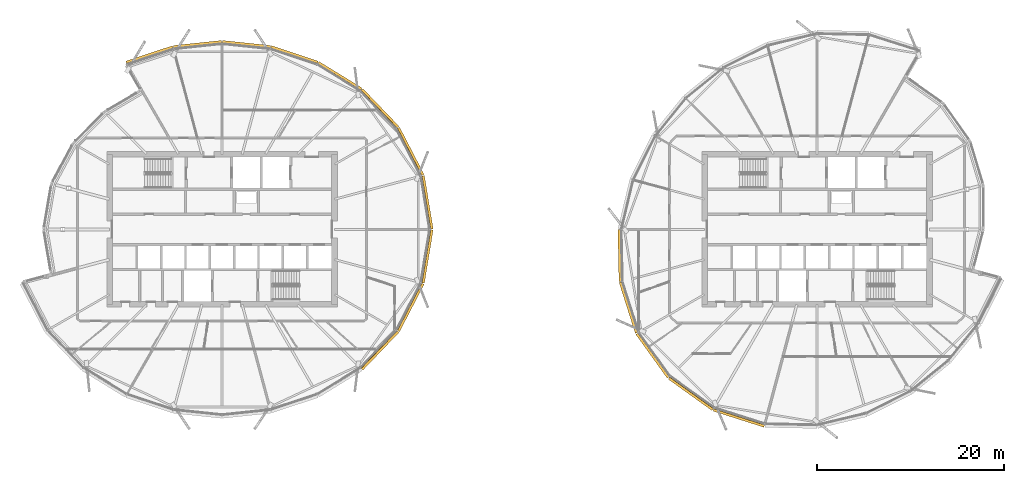
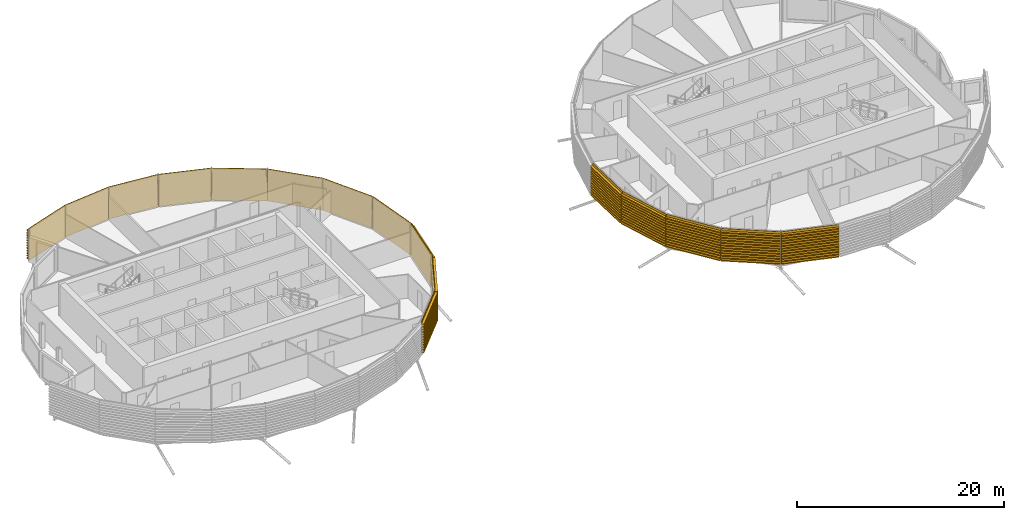
# One storey, part 34 of 37: 16 coverings.
"""IFC4 building model written with IfcOpenShell, lengths in metres."""

from ifc_helpers import new_model, si_unit, direction, frame, origin, place, context, subcontext, project, spatial, polyline, outline, extrude, material, material_profile, profile_set, type_object, element, save


model = new_model("IFC4")

# Units and contexts
model_context = context("Model", 3, precision=1e-05, world=origin(), true_north=direction((0.0, 1.0)))
body_context = subcontext(model_context, "Body", "Model", "MODEL_VIEW")
ifc_project = project(units=[si_unit("LENGTHUNIT", "METRE"), si_unit("AREAUNIT", "SQUARE_METRE"), si_unit("VOLUMEUNIT", "CUBIC_METRE"), si_unit("PLANEANGLEUNIT", "RADIAN"), si_unit("MASSUNIT", "GRAM", prefix="KILO")], contexts=[model_context])

# Site, building, storey
site_placement = place(None, origin())
site = spatial("IfcSite", under=ifc_project, at=site_placement, CompositionType="ELEMENT")
building_placement = place(site_placement, origin())
building = spatial("IfcBuilding", under=site, at=building_placement, Name="Rimbun Link Towers", CompositionType="ELEMENT")
storey_placement = place(building_placement, frame((0.0, 0.0, 177.89990234375)))
storey = spatial("IfcBuildingStorey", under=building, at=storey_placement, Name="L43", CompositionType="ELEMENT", Elevation=177.89990234375)

# Coverings
ifc_material = material(Name="Terracotta", Category="masonry")
ifc_material_profile = material_profile(ifc_material, outline(polyline([(0.123046875, 0.0), (0.1630859375, 0.0), (0.1630859375, 0.10009765625), (0.423095703125, 0.10009765625), (0.423095703125, 0.219970703125), (0.1630859375, 0.219970703125), (0.1630859375, 0.39990234375), (0.423095703125, 0.39990234375), (0.423095703125, 0.52001953125), (0.1630859375, 0.52001953125), (0.1630859375, 0.699951171875), (0.423095703125, 0.699951171875), (0.423095703125, 0.820068359375), (0.1630859375, 0.820068359375), (0.1630859375, 1.0), (0.423095703125, 1.0), (0.423095703125, 1.1201171875), (0.1630859375, 1.1201171875), (0.1630859375, 1.300048828125), (0.423095703125, 1.300048828125), (0.423095703125, 1.419921875), (0.1630859375, 1.419921875), (0.1630859375, 1.60009765625), (0.423095703125, 1.60009765625), (0.423095703125, 1.719970703125), (0.1630859375, 1.719970703125), (0.1630859375, 1.89990234375), (0.423095703125, 1.89990234375), (0.423095703125, 2.02001953125), (0.1630859375, 2.02001953125), (0.1630859375, 2.199951171875), (0.423095703125, 2.199951171875), (0.423095703125, 2.320068359375), (0.1630859375, 2.320068359375), (0.1630859375, 2.5), (0.423095703125, 2.5), (0.423095703125, 2.6201171875), (0.1630859375, 2.6201171875), (0.1630859375, 2.800048828125), (0.423095703125, 2.800048828125), (0.423095703125, 2.919921875), (0.1630859375, 2.919921875), (0.1630859375, 3.10009765625), (0.423095703125, 3.10009765625), (0.423095703125, 3.219970703125), (0.1630859375, 3.219970703125), (0.1630859375, 3.39990234375), (0.423095703125, 3.39990234375), (0.423095703125, 3.52001953125), (0.1630859375, 3.52001953125), (0.1630859375, 3.800048828125), (0.123046875, 3.800048828125), (0.123046875, 0.0)])), Name="BAGUETTE 120X300")
ifc_profile_set = profile_set([ifc_material_profile], Name="Terracotta")
covering_type = type_object("IfcCoveringType", Name="TERRACOTTA BAGUETTE 120X300 H3800", PredefinedType="CLADDING", material=ifc_profile_set)
covering_1_placement = place(storey_placement, frame((-10.56494140625, 5.676513671875, 0.0), z_axis=(0.16224452626, -0.986750583328, 0.0), x_axis=(0.986750583328, 0.16224452626, 0.0)))
element("IfcCovering", 1, at=covering_1_placement, inside=storey, type_object=covering_type, Name="TERRACOTTA BAGUETTE", PredefinedType="CLADDING", context=body_context, shape_type="SweptSolid", body=[
    extrude(outline(polyline([(0.123046875, 0.0), (0.1630859375, 0.0), (0.1630859375, 0.10009765625), (0.423095703125, 0.10009765625), (0.423095703125, 0.219970703125), (0.1630859375, 0.219970703125), (0.1630859375, 0.39990234375), (0.423095703125, 0.39990234375), (0.423095703125, 0.52001953125), (0.1630859375, 0.52001953125), (0.1630859375, 0.699951171875), (0.423095703125, 0.699951171875), (0.423095703125, 0.820068359375), (0.1630859375, 0.820068359375), (0.1630859375, 1.0), (0.423095703125, 1.0), (0.423095703125, 1.1201171875), (0.1630859375, 1.1201171875), (0.1630859375, 1.300048828125), (0.423095703125, 1.300048828125), (0.423095703125, 1.419921875), (0.1630859375, 1.419921875), (0.1630859375, 1.60009765625), (0.423095703125, 1.60009765625), (0.423095703125, 1.719970703125), (0.1630859375, 1.719970703125), (0.1630859375, 1.89990234375), (0.423095703125, 1.89990234375), (0.423095703125, 2.02001953125), (0.1630859375, 2.02001953125), (0.1630859375, 2.199951171875), (0.423095703125, 2.199951171875), (0.423095703125, 2.320068359375), (0.1630859375, 2.320068359375), (0.1630859375, 2.5), (0.423095703125, 2.5), (0.423095703125, 2.6201171875), (0.1630859375, 2.6201171875), (0.1630859375, 2.800048828125), (0.423095703125, 2.800048828125), (0.423095703125, 2.919921875), (0.1630859375, 2.919921875), (0.1630859375, 3.10009765625), (0.423095703125, 3.10009765625), (0.423095703125, 3.219970703125), (0.1630859375, 3.219970703125), (0.1630859375, 3.39990234375), (0.423095703125, 3.39990234375), (0.423095703125, 3.52001953125), (0.1630859375, 3.52001953125), (0.1630859375, 3.800048828125), (0.123046875, 3.800048828125), (0.123046875, 0.0)])), origin(), (0.0, 0.0, 1.0), 5.752685546875),
])
covering_2_placement = place(storey_placement, frame((-13.176513671875, 10.723388671875, 0.0), z_axis=(0.459578361582, -0.888137224513, 0.0), x_axis=(0.888137224513, 0.459578361582, 0.0)))
element("IfcCovering", 2, at=covering_2_placement, inside=storey, type_object=covering_type, Name="TERRACOTTA BAGUETTE", PredefinedType="CLADDING", context=body_context, shape_type="SweptSolid", body=[
    extrude(outline(polyline([(0.123046875, 0.0), (0.1630859375, 0.0), (0.1630859375, 0.10009765625), (0.423095703125, 0.10009765625), (0.423095703125, 0.219970703125), (0.1630859375, 0.219970703125), (0.1630859375, 0.39990234375), (0.423095703125, 0.39990234375), (0.423095703125, 0.52001953125), (0.1630859375, 0.52001953125), (0.1630859375, 0.699951171875), (0.423095703125, 0.699951171875), (0.423095703125, 0.820068359375), (0.1630859375, 0.820068359375), (0.1630859375, 1.0), (0.423095703125, 1.0), (0.423095703125, 1.1201171875), (0.1630859375, 1.1201171875), (0.1630859375, 1.300048828125), (0.423095703125, 1.300048828125), (0.423095703125, 1.419921875), (0.1630859375, 1.419921875), (0.1630859375, 1.60009765625), (0.423095703125, 1.60009765625), (0.423095703125, 1.719970703125), (0.1630859375, 1.719970703125), (0.1630859375, 1.89990234375), (0.423095703125, 1.89990234375), (0.423095703125, 2.02001953125), (0.1630859375, 2.02001953125), (0.1630859375, 2.199951171875), (0.423095703125, 2.199951171875), (0.423095703125, 2.320068359375), (0.1630859375, 2.320068359375), (0.1630859375, 2.5), (0.423095703125, 2.5), (0.423095703125, 2.6201171875), (0.1630859375, 2.6201171875), (0.1630859375, 2.800048828125), (0.423095703125, 2.800048828125), (0.423095703125, 2.919921875), (0.1630859375, 2.919921875), (0.1630859375, 3.10009765625), (0.423095703125, 3.10009765625), (0.423095703125, 3.219970703125), (0.1630859375, 3.219970703125), (0.1630859375, 3.39990234375), (0.423095703125, 3.39990234375), (0.423095703125, 3.52001953125), (0.1630859375, 3.52001953125), (0.1630859375, 3.800048828125), (0.123046875, 3.800048828125), (0.123046875, 0.0)])), origin(), (0.0, 0.0, 1.0), 5.6826171875),
])
covering_3_placement = place(storey_placement, frame((-17.018798828125, 14.731201171875, 0.0), z_axis=(0.692042879884, -0.721856393199, 0.0), x_axis=(0.721856393199, 0.692042879884, 0.0)))
element("IfcCovering", 3, at=covering_3_placement, inside=storey, type_object=covering_type, Name="TERRACOTTA BAGUETTE", PredefinedType="CLADDING", context=body_context, shape_type="SweptSolid", body=[
    extrude(outline(polyline([(0.123046875, 0.0), (0.1630859375, 0.0), (0.1630859375, 0.10009765625), (0.423095703125, 0.10009765625), (0.423095703125, 0.219970703125), (0.1630859375, 0.219970703125), (0.1630859375, 0.39990234375), (0.423095703125, 0.39990234375), (0.423095703125, 0.52001953125), (0.1630859375, 0.52001953125), (0.1630859375, 0.699951171875), (0.423095703125, 0.699951171875), (0.423095703125, 0.820068359375), (0.1630859375, 0.820068359375), (0.1630859375, 1.0), (0.423095703125, 1.0), (0.423095703125, 1.1201171875), (0.1630859375, 1.1201171875), (0.1630859375, 1.300048828125), (0.423095703125, 1.300048828125), (0.423095703125, 1.419921875), (0.1630859375, 1.419921875), (0.1630859375, 1.60009765625), (0.423095703125, 1.60009765625), (0.423095703125, 1.719970703125), (0.1630859375, 1.719970703125), (0.1630859375, 1.89990234375), (0.423095703125, 1.89990234375), (0.423095703125, 2.02001953125), (0.1630859375, 2.02001953125), (0.1630859375, 2.199951171875), (0.423095703125, 2.199951171875), (0.423095703125, 2.320068359375), (0.1630859375, 2.320068359375), (0.1630859375, 2.5), (0.423095703125, 2.5), (0.423095703125, 2.6201171875), (0.1630859375, 2.6201171875), (0.1630859375, 2.800048828125), (0.423095703125, 2.800048828125), (0.423095703125, 2.919921875), (0.1630859375, 2.919921875), (0.1630859375, 3.10009765625), (0.423095703125, 3.10009765625), (0.423095703125, 3.219970703125), (0.1630859375, 3.219970703125), (0.1630859375, 3.39990234375), (0.423095703125, 3.39990234375), (0.423095703125, 3.52001953125), (0.1630859375, 3.52001953125), (0.1630859375, 3.800048828125), (0.123046875, 3.800048828125), (0.123046875, 0.0)])), origin(), (0.0, 0.0, 1.0), 5.552001953125),
])
covering_4_placement = place(storey_placement, frame((-21.615478515625, 17.5537109375, 0.0), z_axis=(0.852172287942, -0.523261303426, 0.0), x_axis=(0.523261303426, 0.852172287942, 0.0)))
element("IfcCovering", 4, at=covering_4_placement, inside=storey, type_object=covering_type, Name="TERRACOTTA BAGUETTE", PredefinedType="CLADDING", context=body_context, shape_type="SweptSolid", body=[
    extrude(outline(polyline([(0.123046875, 0.0), (0.1630859375, 0.0), (0.1630859375, 0.10009765625), (0.423095703125, 0.10009765625), (0.423095703125, 0.219970703125), (0.1630859375, 0.219970703125), (0.1630859375, 0.39990234375), (0.423095703125, 0.39990234375), (0.423095703125, 0.52001953125), (0.1630859375, 0.52001953125), (0.1630859375, 0.699951171875), (0.423095703125, 0.699951171875), (0.423095703125, 0.820068359375), (0.1630859375, 0.820068359375), (0.1630859375, 1.0), (0.423095703125, 1.0), (0.423095703125, 1.1201171875), (0.1630859375, 1.1201171875), (0.1630859375, 1.300048828125), (0.423095703125, 1.300048828125), (0.423095703125, 1.419921875), (0.1630859375, 1.419921875), (0.1630859375, 1.60009765625), (0.423095703125, 1.60009765625), (0.423095703125, 1.719970703125), (0.1630859375, 1.719970703125), (0.1630859375, 1.89990234375), (0.423095703125, 1.89990234375), (0.423095703125, 2.02001953125), (0.1630859375, 2.02001953125), (0.1630859375, 2.199951171875), (0.423095703125, 2.199951171875), (0.423095703125, 2.320068359375), (0.1630859375, 2.320068359375), (0.1630859375, 2.5), (0.423095703125, 2.5), (0.423095703125, 2.6201171875), (0.1630859375, 2.6201171875), (0.1630859375, 2.800048828125), (0.423095703125, 2.800048828125), (0.423095703125, 2.919921875), (0.1630859375, 2.919921875), (0.1630859375, 3.10009765625), (0.423095703125, 3.10009765625), (0.423095703125, 3.219970703125), (0.1630859375, 3.219970703125), (0.1630859375, 3.39990234375), (0.423095703125, 3.39990234375), (0.423095703125, 3.52001953125), (0.1630859375, 3.52001953125), (0.1630859375, 3.800048828125), (0.123046875, 3.800048828125), (0.123046875, 0.0)])), origin(), (0.0, 0.0, 1.0), 5.39404296875),
])
covering_5_placement = place(storey_placement, frame((-26.603515625, 19.20654296875, 0.0), z_axis=(0.949243976599, -0.314540733277, 0.0), x_axis=(0.314540733277, 0.949243976599, 0.0)))
element("IfcCovering", 5, at=covering_5_placement, inside=storey, type_object=covering_type, Name="TERRACOTTA BAGUETTE", PredefinedType="CLADDING", context=body_context, shape_type="SweptSolid", body=[
    extrude(outline(polyline([(0.123046875, 0.0), (0.1630859375, 0.0), (0.1630859375, 0.10009765625), (0.423095703125, 0.10009765625), (0.423095703125, 0.219970703125), (0.1630859375, 0.219970703125), (0.1630859375, 0.39990234375), (0.423095703125, 0.39990234375), (0.423095703125, 0.52001953125), (0.1630859375, 0.52001953125), (0.1630859375, 0.699951171875), (0.423095703125, 0.699951171875), (0.423095703125, 0.820068359375), (0.1630859375, 0.820068359375), (0.1630859375, 1.0), (0.423095703125, 1.0), (0.423095703125, 1.1201171875), (0.1630859375, 1.1201171875), (0.1630859375, 1.300048828125), (0.423095703125, 1.300048828125), (0.423095703125, 1.419921875), (0.1630859375, 1.419921875), (0.1630859375, 1.60009765625), (0.423095703125, 1.60009765625), (0.423095703125, 1.719970703125), (0.1630859375, 1.719970703125), (0.1630859375, 1.89990234375), (0.423095703125, 1.89990234375), (0.423095703125, 2.02001953125), (0.1630859375, 2.02001953125), (0.1630859375, 2.199951171875), (0.423095703125, 2.199951171875), (0.423095703125, 2.320068359375), (0.1630859375, 2.320068359375), (0.1630859375, 2.5), (0.423095703125, 2.5), (0.423095703125, 2.6201171875), (0.1630859375, 2.6201171875), (0.1630859375, 2.800048828125), (0.423095703125, 2.800048828125), (0.423095703125, 2.919921875), (0.1630859375, 2.919921875), (0.1630859375, 3.10009765625), (0.423095703125, 3.10009765625), (0.423095703125, 3.219970703125), (0.1630859375, 3.219970703125), (0.1630859375, 3.39990234375), (0.423095703125, 3.39990234375), (0.423095703125, 3.52001953125), (0.1630859375, 3.52001953125), (0.1630859375, 3.800048828125), (0.123046875, 3.800048828125), (0.123046875, 0.0)])), origin(), (0.0, 0.0, 1.0), 5.254638671875),
])
for number, where, z_axis, x_axis, name in (
    (6, (-31.75, 19.74853515625, 0.0), (0.994500281579, -0.104733900622, 0.0), (0.104733900622, 0.994500281579, 0.0), "TERRACOTTA BAGUETTE"),
    (7, (-36.896484375, 19.20654296875, 0.0), (0.994500281579, 0.104733900622, 0.0), (-0.104733900622, 0.994500281579, 0.0), "TERRACOTTA BAGUETTE"),
):
    element("IfcCovering", number, at=place(storey_placement, frame(where, z_axis=z_axis, x_axis=x_axis)), inside=storey, type_object=covering_type, Name=name, PredefinedType="CLADDING", context=body_context, shape_type="SweptSolid", body=[
        extrude(outline(polyline([(0.123046875, 0.0), (0.1630859375, 0.0), (0.1630859375, 0.10009765625), (0.423095703125, 0.10009765625), (0.423095703125, 0.219970703125), (0.1630859375, 0.219970703125), (0.1630859375, 0.39990234375), (0.423095703125, 0.39990234375), (0.423095703125, 0.52001953125), (0.1630859375, 0.52001953125), (0.1630859375, 0.699951171875), (0.423095703125, 0.699951171875), (0.423095703125, 0.820068359375), (0.1630859375, 0.820068359375), (0.1630859375, 1.0), (0.423095703125, 1.0), (0.423095703125, 1.1201171875), (0.1630859375, 1.1201171875), (0.1630859375, 1.300048828125), (0.423095703125, 1.300048828125), (0.423095703125, 1.419921875), (0.1630859375, 1.419921875), (0.1630859375, 1.60009765625), (0.423095703125, 1.60009765625), (0.423095703125, 1.719970703125), (0.1630859375, 1.719970703125), (0.1630859375, 1.89990234375), (0.423095703125, 1.89990234375), (0.423095703125, 2.02001953125), (0.1630859375, 2.02001953125), (0.1630859375, 2.199951171875), (0.423095703125, 2.199951171875), (0.423095703125, 2.320068359375), (0.1630859375, 2.320068359375), (0.1630859375, 2.5), (0.423095703125, 2.5), (0.423095703125, 2.6201171875), (0.1630859375, 2.6201171875), (0.1630859375, 2.800048828125), (0.423095703125, 2.800048828125), (0.423095703125, 2.919921875), (0.1630859375, 2.919921875), (0.1630859375, 3.10009765625), (0.423095703125, 3.10009765625), (0.423095703125, 3.219970703125), (0.1630859375, 3.219970703125), (0.1630859375, 3.39990234375), (0.423095703125, 3.39990234375), (0.423095703125, 3.52001953125), (0.1630859375, 3.52001953125), (0.1630859375, 3.800048828125), (0.123046875, 3.800048828125), (0.123046875, 0.0)])), origin(), (0.0, 0.0, 1.0), 5.175048828125),
    ])
covering_6_placement = place(storey_placement, frame((-41.884521484375, 17.5537109375, 0.0), z_axis=(0.949243976599, 0.314540733277, 0.0), x_axis=(-0.314540733277, 0.949243976599, 0.0)))
element("IfcCovering", 8, at=covering_6_placement, inside=storey, type_object=covering_type, Name="TERRACOTTA BAGUETTE", PredefinedType="CLADDING", context=body_context, shape_type="SweptSolid", body=[
    extrude(outline(polyline([(0.123046875, 0.0), (0.1630859375, 0.0), (0.1630859375, 0.10009765625), (0.423095703125, 0.10009765625), (0.423095703125, 0.219970703125), (0.1630859375, 0.219970703125), (0.1630859375, 0.39990234375), (0.423095703125, 0.39990234375), (0.423095703125, 0.52001953125), (0.1630859375, 0.52001953125), (0.1630859375, 0.699951171875), (0.423095703125, 0.699951171875), (0.423095703125, 0.820068359375), (0.1630859375, 0.820068359375), (0.1630859375, 1.0), (0.423095703125, 1.0), (0.423095703125, 1.1201171875), (0.1630859375, 1.1201171875), (0.1630859375, 1.300048828125), (0.423095703125, 1.300048828125), (0.423095703125, 1.419921875), (0.1630859375, 1.419921875), (0.1630859375, 1.60009765625), (0.423095703125, 1.60009765625), (0.423095703125, 1.719970703125), (0.1630859375, 1.719970703125), (0.1630859375, 1.89990234375), (0.423095703125, 1.89990234375), (0.423095703125, 2.02001953125), (0.1630859375, 2.02001953125), (0.1630859375, 2.199951171875), (0.423095703125, 2.199951171875), (0.423095703125, 2.320068359375), (0.1630859375, 2.320068359375), (0.1630859375, 2.5), (0.423095703125, 2.5), (0.423095703125, 2.6201171875), (0.1630859375, 2.6201171875), (0.1630859375, 2.800048828125), (0.423095703125, 2.800048828125), (0.423095703125, 2.919921875), (0.1630859375, 2.919921875), (0.1630859375, 3.10009765625), (0.423095703125, 3.10009765625), (0.423095703125, 3.219970703125), (0.1630859375, 3.219970703125), (0.1630859375, 3.39990234375), (0.423095703125, 3.39990234375), (0.423095703125, 3.52001953125), (0.1630859375, 3.52001953125), (0.1630859375, 3.800048828125), (0.123046875, 3.800048828125), (0.123046875, 0.0)])), origin(), (0.0, 0.0, 1.0), 5.254638671875),
])
covering_7_placement = place(storey_placement, frame((-13.176513671875, -10.723388671875, 0.0), z_axis=(-0.692042879884, -0.721856393199, 0.0), x_axis=(0.721856393199, -0.692042879884, 0.0)))
element("IfcCovering", 9, at=covering_7_placement, inside=storey, type_object=covering_type, Name="TERRACOTTA BAGUETTE", PredefinedType="CLADDING", context=body_context, shape_type="SweptSolid", body=[
    extrude(outline(polyline([(0.123046875, 0.0), (0.1630859375, 0.0), (0.1630859375, 0.10009765625), (0.423095703125, 0.10009765625), (0.423095703125, 0.219970703125), (0.1630859375, 0.219970703125), (0.1630859375, 0.39990234375), (0.423095703125, 0.39990234375), (0.423095703125, 0.52001953125), (0.1630859375, 0.52001953125), (0.1630859375, 0.699951171875), (0.423095703125, 0.699951171875), (0.423095703125, 0.820068359375), (0.1630859375, 0.820068359375), (0.1630859375, 1.0), (0.423095703125, 1.0), (0.423095703125, 1.1201171875), (0.1630859375, 1.1201171875), (0.1630859375, 1.300048828125), (0.423095703125, 1.300048828125), (0.423095703125, 1.419921875), (0.1630859375, 1.419921875), (0.1630859375, 1.60009765625), (0.423095703125, 1.60009765625), (0.423095703125, 1.719970703125), (0.1630859375, 1.719970703125), (0.1630859375, 1.89990234375), (0.423095703125, 1.89990234375), (0.423095703125, 2.02001953125), (0.1630859375, 2.02001953125), (0.1630859375, 2.199951171875), (0.423095703125, 2.199951171875), (0.423095703125, 2.320068359375), (0.1630859375, 2.320068359375), (0.1630859375, 2.5), (0.423095703125, 2.5), (0.423095703125, 2.6201171875), (0.1630859375, 2.6201171875), (0.1630859375, 2.800048828125), (0.423095703125, 2.800048828125), (0.423095703125, 2.919921875), (0.1630859375, 2.919921875), (0.1630859375, 3.10009765625), (0.423095703125, 3.10009765625), (0.423095703125, 3.219970703125), (0.1630859375, 3.219970703125), (0.1630859375, 3.39990234375), (0.423095703125, 3.39990234375), (0.423095703125, 3.52001953125), (0.1630859375, 3.52001953125), (0.1630859375, 3.800048828125), (0.123046875, 3.800048828125), (0.123046875, 0.0)])), origin(), (0.0, 0.0, 1.0), 5.552001953125),
])
covering_8_placement = place(storey_placement, frame((-10.56494140625, -5.676513671875, 0.0), z_axis=(-0.459578361582, -0.888137224513, 0.0), x_axis=(0.888137224513, -0.459578361582, 0.0)))
element("IfcCovering", 10, at=covering_8_placement, inside=storey, type_object=covering_type, Name="TERRACOTTA BAGUETTE", PredefinedType="CLADDING", context=body_context, shape_type="SweptSolid", body=[
    extrude(outline(polyline([(0.123046875, 0.0), (0.1630859375, 0.0), (0.1630859375, 0.10009765625), (0.423095703125, 0.10009765625), (0.423095703125, 0.219970703125), (0.1630859375, 0.219970703125), (0.1630859375, 0.39990234375), (0.423095703125, 0.39990234375), (0.423095703125, 0.52001953125), (0.1630859375, 0.52001953125), (0.1630859375, 0.699951171875), (0.423095703125, 0.699951171875), (0.423095703125, 0.820068359375), (0.1630859375, 0.820068359375), (0.1630859375, 1.0), (0.423095703125, 1.0), (0.423095703125, 1.1201171875), (0.1630859375, 1.1201171875), (0.1630859375, 1.300048828125), (0.423095703125, 1.300048828125), (0.423095703125, 1.419921875), (0.1630859375, 1.419921875), (0.1630859375, 1.60009765625), (0.423095703125, 1.60009765625), (0.423095703125, 1.719970703125), (0.1630859375, 1.719970703125), (0.1630859375, 1.89990234375), (0.423095703125, 1.89990234375), (0.423095703125, 2.02001953125), (0.1630859375, 2.02001953125), (0.1630859375, 2.199951171875), (0.423095703125, 2.199951171875), (0.423095703125, 2.320068359375), (0.1630859375, 2.320068359375), (0.1630859375, 2.5), (0.423095703125, 2.5), (0.423095703125, 2.6201171875), (0.1630859375, 2.6201171875), (0.1630859375, 2.800048828125), (0.423095703125, 2.800048828125), (0.423095703125, 2.919921875), (0.1630859375, 2.919921875), (0.1630859375, 3.10009765625), (0.423095703125, 3.10009765625), (0.423095703125, 3.219970703125), (0.1630859375, 3.219970703125), (0.1630859375, 3.39990234375), (0.423095703125, 3.39990234375), (0.423095703125, 3.52001953125), (0.1630859375, 3.52001953125), (0.1630859375, 3.800048828125), (0.123046875, 3.800048828125), (0.123046875, 0.0)])), origin(), (0.0, 0.0, 1.0), 5.6826171875),
])
covering_9_placement = place(storey_placement, frame((-9.631591796875, 0.0, 0.0), z_axis=(-0.16224452626, -0.986750583328, 0.0), x_axis=(0.986750583328, -0.16224452626, 0.0)))
element("IfcCovering", 11, at=covering_9_placement, inside=storey, type_object=covering_type, Name="TERRACOTTA BAGUETTE", PredefinedType="CLADDING", context=body_context, shape_type="SweptSolid", body=[
    extrude(outline(polyline([(0.123046875, 0.0), (0.1630859375, 0.0), (0.1630859375, 0.10009765625), (0.423095703125, 0.10009765625), (0.423095703125, 0.219970703125), (0.1630859375, 0.219970703125), (0.1630859375, 0.39990234375), (0.423095703125, 0.39990234375), (0.423095703125, 0.52001953125), (0.1630859375, 0.52001953125), (0.1630859375, 0.699951171875), (0.423095703125, 0.699951171875), (0.423095703125, 0.820068359375), (0.1630859375, 0.820068359375), (0.1630859375, 1.0), (0.423095703125, 1.0), (0.423095703125, 1.1201171875), (0.1630859375, 1.1201171875), (0.1630859375, 1.300048828125), (0.423095703125, 1.300048828125), (0.423095703125, 1.419921875), (0.1630859375, 1.419921875), (0.1630859375, 1.60009765625), (0.423095703125, 1.60009765625), (0.423095703125, 1.719970703125), (0.1630859375, 1.719970703125), (0.1630859375, 1.89990234375), (0.423095703125, 1.89990234375), (0.423095703125, 2.02001953125), (0.1630859375, 2.02001953125), (0.1630859375, 2.199951171875), (0.423095703125, 2.199951171875), (0.423095703125, 2.320068359375), (0.1630859375, 2.320068359375), (0.1630859375, 2.5), (0.423095703125, 2.5), (0.423095703125, 2.6201171875), (0.1630859375, 2.6201171875), (0.1630859375, 2.800048828125), (0.423095703125, 2.800048828125), (0.423095703125, 2.919921875), (0.1630859375, 2.919921875), (0.1630859375, 3.10009765625), (0.423095703125, 3.10009765625), (0.423095703125, 3.219970703125), (0.1630859375, 3.219970703125), (0.1630859375, 3.39990234375), (0.423095703125, 3.39990234375), (0.423095703125, 3.52001953125), (0.1630859375, 3.52001953125), (0.1630859375, 3.800048828125), (0.123046875, 3.800048828125), (0.123046875, 0.0)])), origin(), (0.0, 0.0, 1.0), 5.752685546875),
])
covering_10_placement = place(storey_placement, frame((11.03369140625, -5.55078125, 0.0), z_axis=(-0.021019282006, 0.999779070487, 0.0), x_axis=(-0.999779070487, -0.021019282006, 0.0)))
element("IfcCovering", 12, at=covering_10_placement, inside=storey, type_object=covering_type, Name="TERRACOTTA BAGUETTE", PredefinedType="CLADDING", context=body_context, shape_type="SweptSolid", body=[
    extrude(outline(polyline([(0.123046875, 0.0), (0.1630859375, 0.0), (0.1630859375, 0.10009765625), (0.423095703125, 0.10009765625), (0.423095703125, 0.219970703125), (0.1630859375, 0.219970703125), (0.1630859375, 0.39990234375), (0.423095703125, 0.39990234375), (0.423095703125, 0.52001953125), (0.1630859375, 0.52001953125), (0.1630859375, 0.699951171875), (0.423095703125, 0.699951171875), (0.423095703125, 0.820068359375), (0.1630859375, 0.820068359375), (0.1630859375, 1.0), (0.423095703125, 1.0), (0.423095703125, 1.1201171875), (0.1630859375, 1.1201171875), (0.1630859375, 1.300048828125), (0.423095703125, 1.300048828125), (0.423095703125, 1.419921875), (0.1630859375, 1.419921875), (0.1630859375, 1.60009765625), (0.423095703125, 1.60009765625), (0.423095703125, 1.719970703125), (0.1630859375, 1.719970703125), (0.1630859375, 1.89990234375), (0.423095703125, 1.89990234375), (0.423095703125, 2.02001953125), (0.1630859375, 2.02001953125), (0.1630859375, 2.199951171875), (0.423095703125, 2.199951171875), (0.423095703125, 2.320068359375), (0.1630859375, 2.320068359375), (0.1630859375, 2.5), (0.423095703125, 2.5), (0.423095703125, 2.6201171875), (0.1630859375, 2.6201171875), (0.1630859375, 2.800048828125), (0.423095703125, 2.800048828125), (0.423095703125, 2.919921875), (0.1630859375, 2.919921875), (0.1630859375, 3.10009765625), (0.423095703125, 3.10009765625), (0.423095703125, 3.219970703125), (0.1630859375, 3.219970703125), (0.1630859375, 3.39990234375), (0.423095703125, 3.39990234375), (0.423095703125, 3.52001953125), (0.1630859375, 3.52001953125), (0.1630859375, 3.800048828125), (0.123046875, 3.800048828125), (0.123046875, 0.0)])), origin(), (0.0, 0.0, 1.0), 5.552001953125),
])
covering_11_placement = place(storey_placement, frame((12.756103515625, -10.96630859375, 0.0), z_axis=(-0.30309016704, 0.952961883101, 0.0), x_axis=(-0.952961883101, -0.30309016704, 0.0)))
element("IfcCovering", 13, at=covering_11_placement, inside=storey, type_object=covering_type, Name="TERRACOTTA BAGUETTE", PredefinedType="CLADDING", context=body_context, shape_type="SweptSolid", body=[
    extrude(outline(polyline([(0.123046875, 0.0), (0.1630859375, 0.0), (0.1630859375, 0.10009765625), (0.423095703125, 0.10009765625), (0.423095703125, 0.219970703125), (0.1630859375, 0.219970703125), (0.1630859375, 0.39990234375), (0.423095703125, 0.39990234375), (0.423095703125, 0.52001953125), (0.1630859375, 0.52001953125), (0.1630859375, 0.699951171875), (0.423095703125, 0.699951171875), (0.423095703125, 0.820068359375), (0.1630859375, 0.820068359375), (0.1630859375, 1.0), (0.423095703125, 1.0), (0.423095703125, 1.1201171875), (0.1630859375, 1.1201171875), (0.1630859375, 1.300048828125), (0.423095703125, 1.300048828125), (0.423095703125, 1.419921875), (0.1630859375, 1.419921875), (0.1630859375, 1.60009765625), (0.423095703125, 1.60009765625), (0.423095703125, 1.719970703125), (0.1630859375, 1.719970703125), (0.1630859375, 1.89990234375), (0.423095703125, 1.89990234375), (0.423095703125, 2.02001953125), (0.1630859375, 2.02001953125), (0.1630859375, 2.199951171875), (0.423095703125, 2.199951171875), (0.423095703125, 2.320068359375), (0.1630859375, 2.320068359375), (0.1630859375, 2.5), (0.423095703125, 2.5), (0.423095703125, 2.6201171875), (0.1630859375, 2.6201171875), (0.1630859375, 2.800048828125), (0.423095703125, 2.800048828125), (0.423095703125, 2.919921875), (0.1630859375, 2.919921875), (0.1630859375, 3.10009765625), (0.423095703125, 3.10009765625), (0.423095703125, 3.219970703125), (0.1630859375, 3.219970703125), (0.1630859375, 3.39990234375), (0.423095703125, 3.39990234375), (0.423095703125, 3.52001953125), (0.1630859375, 3.52001953125), (0.1630859375, 3.800048828125), (0.123046875, 3.800048828125), (0.123046875, 0.0)])), origin(), (0.0, 0.0, 1.0), 5.682861328125),
])
for number, where, z_axis, x_axis, name in (
    (14, (16.10986328125, -15.64013671875, 0.0), (-0.582999240404, 0.812472698427, 0.0), (-0.812472698427, -0.582999240404, 0.0), "TERRACOTTA BAGUETTE"),
    (15, (20.78369140625, -18.993896484375, 0.0), (-0.812472698427, 0.582999240404, 0.0), (-0.582999240404, -0.812472698427, 0.0), "TERRACOTTA BAGUETTE"),
):
    element("IfcCovering", number, at=place(storey_placement, frame(where, z_axis=z_axis, x_axis=x_axis)), inside=storey, type_object=covering_type, Name=name, PredefinedType="CLADDING", context=body_context, shape_type="SweptSolid", body=[
        extrude(outline(polyline([(0.123046875, 0.0), (0.1630859375, 0.0), (0.1630859375, 0.10009765625), (0.423095703125, 0.10009765625), (0.423095703125, 0.219970703125), (0.1630859375, 0.219970703125), (0.1630859375, 0.39990234375), (0.423095703125, 0.39990234375), (0.423095703125, 0.52001953125), (0.1630859375, 0.52001953125), (0.1630859375, 0.699951171875), (0.423095703125, 0.699951171875), (0.423095703125, 0.820068359375), (0.1630859375, 0.820068359375), (0.1630859375, 1.0), (0.423095703125, 1.0), (0.423095703125, 1.1201171875), (0.1630859375, 1.1201171875), (0.1630859375, 1.300048828125), (0.423095703125, 1.300048828125), (0.423095703125, 1.419921875), (0.1630859375, 1.419921875), (0.1630859375, 1.60009765625), (0.423095703125, 1.60009765625), (0.423095703125, 1.719970703125), (0.1630859375, 1.719970703125), (0.1630859375, 1.89990234375), (0.423095703125, 1.89990234375), (0.423095703125, 2.02001953125), (0.1630859375, 2.02001953125), (0.1630859375, 2.199951171875), (0.423095703125, 2.199951171875), (0.423095703125, 2.320068359375), (0.1630859375, 2.320068359375), (0.1630859375, 2.5), (0.423095703125, 2.5), (0.423095703125, 2.6201171875), (0.1630859375, 2.6201171875), (0.1630859375, 2.800048828125), (0.423095703125, 2.800048828125), (0.423095703125, 2.919921875), (0.1630859375, 2.919921875), (0.1630859375, 3.10009765625), (0.423095703125, 3.10009765625), (0.423095703125, 3.219970703125), (0.1630859375, 3.219970703125), (0.1630859375, 3.39990234375), (0.423095703125, 3.39990234375), (0.423095703125, 3.52001953125), (0.1630859375, 3.52001953125), (0.1630859375, 3.800048828125), (0.123046875, 3.800048828125), (0.123046875, 0.0)])), origin(), (0.0, 0.0, 1.0), 5.752685546875),
    ])
covering_12_placement = place(storey_placement, frame((26.19921875, -20.71630859375, 0.0), z_axis=(-0.952961883101, 0.30309016704, 0.0), x_axis=(-0.30309016704, -0.952961883101, 0.0)))
element("IfcCovering", 16, at=covering_12_placement, inside=storey, type_object=covering_type, Name="TERRACOTTA BAGUETTE", PredefinedType="CLADDING", context=body_context, shape_type="SweptSolid", body=[
    extrude(outline(polyline([(0.123046875, 0.0), (0.1630859375, 0.0), (0.1630859375, 0.10009765625), (0.423095703125, 0.10009765625), (0.423095703125, 0.219970703125), (0.1630859375, 0.219970703125), (0.1630859375, 0.39990234375), (0.423095703125, 0.39990234375), (0.423095703125, 0.52001953125), (0.1630859375, 0.52001953125), (0.1630859375, 0.699951171875), (0.423095703125, 0.699951171875), (0.423095703125, 0.820068359375), (0.1630859375, 0.820068359375), (0.1630859375, 1.0), (0.423095703125, 1.0), (0.423095703125, 1.1201171875), (0.1630859375, 1.1201171875), (0.1630859375, 1.300048828125), (0.423095703125, 1.300048828125), (0.423095703125, 1.419921875), (0.1630859375, 1.419921875), (0.1630859375, 1.60009765625), (0.423095703125, 1.60009765625), (0.423095703125, 1.719970703125), (0.1630859375, 1.719970703125), (0.1630859375, 1.89990234375), (0.423095703125, 1.89990234375), (0.423095703125, 2.02001953125), (0.1630859375, 2.02001953125), (0.1630859375, 2.199951171875), (0.423095703125, 2.199951171875), (0.423095703125, 2.320068359375), (0.1630859375, 2.320068359375), (0.1630859375, 2.5), (0.423095703125, 2.5), (0.423095703125, 2.6201171875), (0.1630859375, 2.6201171875), (0.1630859375, 2.800048828125), (0.423095703125, 2.800048828125), (0.423095703125, 2.919921875), (0.1630859375, 2.919921875), (0.1630859375, 3.10009765625), (0.423095703125, 3.10009765625), (0.423095703125, 3.219970703125), (0.1630859375, 3.219970703125), (0.1630859375, 3.39990234375), (0.423095703125, 3.39990234375), (0.423095703125, 3.52001953125), (0.1630859375, 3.52001953125), (0.1630859375, 3.800048828125), (0.123046875, 3.800048828125), (0.123046875, 0.0)])), origin(), (0.0, 0.0, 1.0), 5.682861328125),
])

save(model, "model.ifc")
